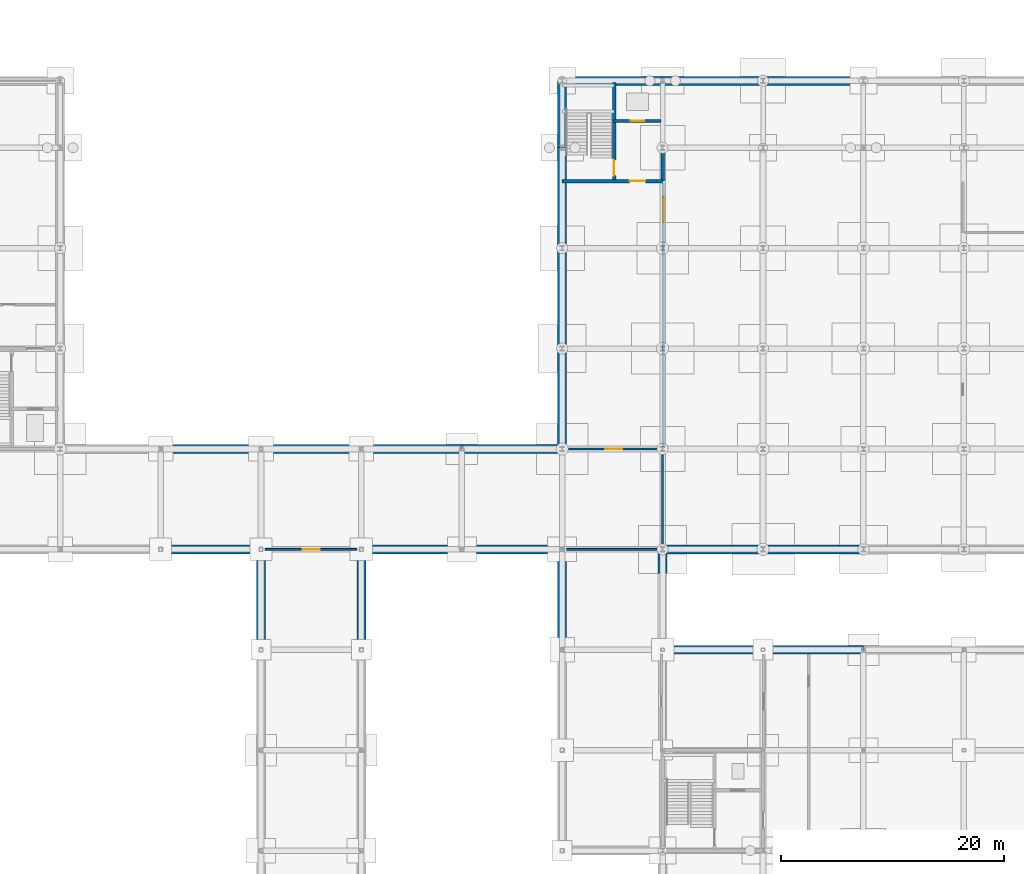
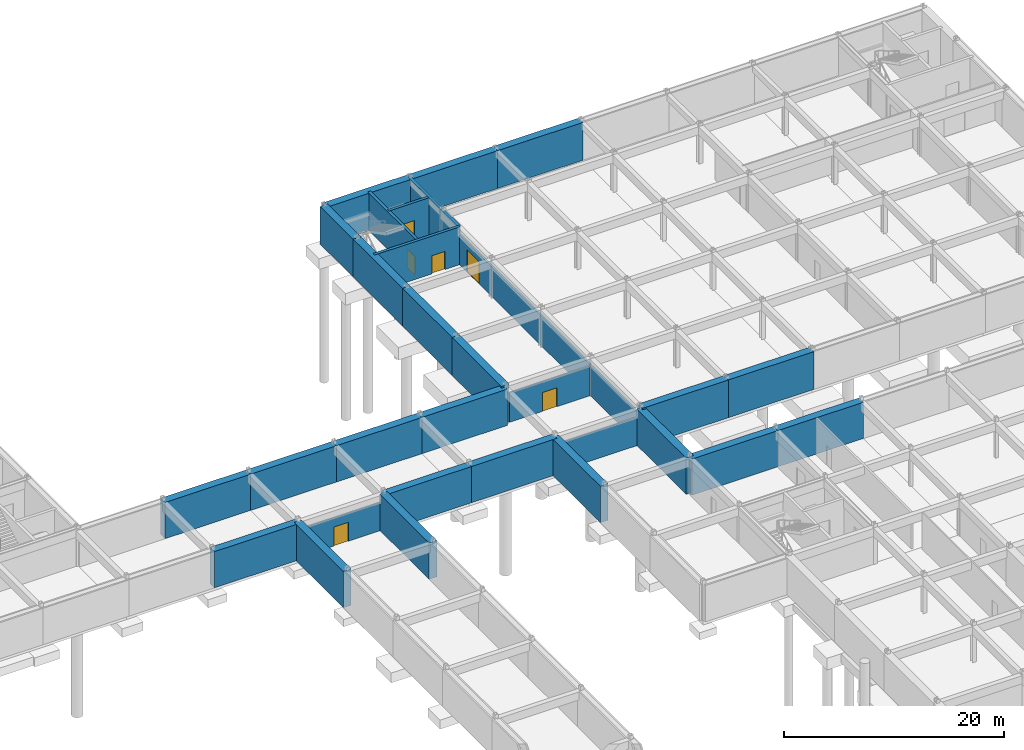
# One storey, part 29 of 41: 31 walls, 6 doors, 6 openings.
"""IFC4 building model written with IfcOpenShell, lengths in metres."""

from ifc_helpers import new_model, si_unit, direction, frame, frame_2d, origin, place, context, subcontext, project, spatial, rectangle, extrude, material, layer, layer_set, type_object, element, fill, save


model = new_model("IFC4")

# Units and contexts
model_context = context("Model", 3, precision=1e-05, world=origin(), true_north=direction((0.0, 1.0)))
body_context = subcontext(model_context, "Body", "Model", "MODEL_VIEW")
ifc_project = project(units=[si_unit("LENGTHUNIT", "METRE"), si_unit("AREAUNIT", "SQUARE_METRE"), si_unit("VOLUMEUNIT", "CUBIC_METRE"), si_unit("PLANEANGLEUNIT", "RADIAN"), si_unit("MASSUNIT", "GRAM", prefix="KILO")], contexts=[model_context])

# Site, building, storey
site_placement = place(None, origin())
site = spatial("IfcSite", under=ifc_project, at=site_placement, CompositionType="ELEMENT")
building_placement = place(site_placement, origin())
building = spatial("IfcBuilding", under=site, at=building_placement, Name="Palais des Congres Ocreval", CompositionType="ELEMENT")
storey_placement = place(building_placement, frame((0.0, 0.0, -8.9599609375)))
storey = spatial("IfcBuildingStorey", under=building, at=storey_placement, Name="B2", CompositionType="ELEMENT", Elevation=-8.9599609375)

# Wall
ifc_material_1 = material(Name="Gypsum acoustic fire board")
ifc_layer_1 = layer(ifc_material_1, 0.199951171875)
ifc_layer_set_1 = layer_set([ifc_layer_1], Name="Compartment Fire Partition 200 Gypsum (Gypsum acoustic fire board)")
wall_type_1 = type_object("IfcWallType", Name="Compartment Fire Partition 200 Gypsum", PredefinedType="PARTITIONING", material=ifc_layer_set_1)
wall_1_placement = place(storey_placement, frame((107.985107421875, 72.405029296875, 0.0), z_axis=(0.0, 0.0, 1.0), x_axis=(0.0, 1.0, 0.0)))
element("IfcWall", 1, at=wall_1_placement, inside=storey, type_object=wall_type_1, Name="Interior Partition IW01 B2", PredefinedType="PARTITIONING", context=body_context, shape_type="SweptSolid", body=[
    extrude(rectangle(XDim=8.675048828125, YDim=0.199951171875, at=frame_2d((4.33740234375, 0.0))), origin(), (0.0, 0.0, 1.0), 3.300048828125),
])

# Wall, opening, door
wall_2_placement = place(storey_placement, frame((108.06494140625, 81.155029296875, 0.0), z_axis=(0.0, 0.0, 1.0), x_axis=(0.0, 1.0, 0.0)))
wall_2 = element("IfcWall", 2, at=wall_2_placement, inside=storey, type_object=wall_type_1, Name="Interior Partition IW01 B2", PredefinedType="PARTITIONING", context=body_context, shape_type="SweptSolid", body=[
    extrude(rectangle(XDim=23.68994140625, YDim=0.199951171875, at=frame_2d((11.844970703125, 0.0))), origin(), (0.0, 0.0, 1.0), 3.300048828125),
])
opening_1_placement = place(wall_2_placement, frame((20.18994140625, 0.0, 0.0)))
opening_1 = element("IfcOpeningElement", 3, at=opening_1_placement, cuts=wall_2, Name="Opening D14", PredefinedType="OPENING", context=body_context, shape_type="SweptSolid", body=[
    extrude(rectangle(XDim=2.199951171875, YDim=2.449951171875, at=frame_2d((1.10009765625, 1.22509765625))), frame((0.0, 0.10986328125, 0.0), z_axis=(0.0, -1.0, 0.0), x_axis=(1.0, 0.0, 0.0)), (0.0, 0.0, 1.0), 0.219970703125),
])
ifc_material_2 = material(Name="Acoustic oak and bronze", Category="wood")
door_type_1 = type_object("IfcDoorType", Name="Grand Ballroom Acoustic Double Door 2200x2450", OperationType="NOTDEFINED", PredefinedType="DOOR", material=ifc_material_2)
door_1_placement = place(opening_1_placement, origin())
door_1 = element("IfcDoor", 4, at=door_1_placement, inside=storey, type_object=door_type_1, Name="Interior Door D14 B2", OperationType="DOUBLE_DOOR_SINGLE_SWING", OverallHeight=2.449951171875, OverallWidth=2.199951171875, PredefinedType="DOOR", context=body_context, shape_type="SweptSolid", body=[
    extrude(rectangle(XDim=2.199951171875, YDim=2.449951171875, at=frame_2d((1.10009765625, 1.22509765625))), frame((0.0, 0.02490234375, 0.0), z_axis=(0.0, -1.0, 0.0), x_axis=(1.0, 0.0, 0.0)), (0.0, 0.0, 1.0), 0.050048828125),
])
fill(opening_1, door_1)

ifc_material_3 = material(Name="Concrete C40/50", Category="concrete")
ifc_layer_2 = layer(ifc_material_3, 0.300048828125)
ifc_layer_set_2 = layer_set([ifc_layer_2], Name="Core Shear Wall 300 Concrete C40/50")
wall_type_2 = type_object("IfcWallType", Name="Core Shear Wall 300 Concrete C40/50", PredefinedType="SHEAR", material=ifc_layer_set_2)
wall_3_placement = place(storey_placement, frame((99.0, 105.0, 0.0), z_axis=(0.0, 0.0, 1.0), x_axis=(1.0, 0.0, 0.0)))
wall_3 = element("IfcWall", 5, at=wall_3_placement, inside=storey, type_object=wall_type_2, Name="Core Shear Wall SC07 B2 S", PredefinedType="SHEAR", context=body_context, shape_type="SweptSolid", body=[
    extrude(rectangle(XDim=9.0, YDim=0.300048828125, at=frame_2d((4.5, 0.0))), origin(), (0.0, 0.0, 1.0), 4.199951171875),
])
opening_2_placement = place(wall_3_placement, frame((6.050048828125, 0.0, 0.0)))
opening_2 = element("IfcOpeningElement", 6, at=opening_2_placement, cuts=wall_3, Name="Opening D03", PredefinedType="OPENING", context=body_context, shape_type="SweptSolid", body=[
    extrude(rectangle(XDim=1.39990234375, YDim=2.02001953125, at=frame_2d((0.699951171875, 1.010009765625))), frame((0.0, 0.159912109375, 0.0), z_axis=(0.0, -1.0, 0.0), x_axis=(1.0, 0.0, 0.0)), (0.0, 0.0, 1.0), 0.320068359375),
])
ifc_material_4 = material(Name="Painted fire-rated steel", Category="steel")
door_type_2 = type_object("IfcDoorType", Name="Core Lobby Rated Door 1400x2020", OperationType="NOTDEFINED", PredefinedType="DOOR", material=ifc_material_4)
door_2_placement = place(opening_2_placement, origin())
door_2 = element("IfcDoor", 7, at=door_2_placement, inside=storey, type_object=door_type_2, Name="Lobby Entrance Door SC07 B2", OperationType="DOUBLE_DOOR_SINGLE_SWING", OverallHeight=2.02001953125, OverallWidth=1.39990234375, PredefinedType="DOOR", context=body_context, shape_type="SweptSolid", body=[
    extrude(rectangle(XDim=1.39990234375, YDim=2.02001953125, at=frame_2d((0.699951171875, 1.010009765625))), frame((0.0, 0.02490234375, 0.0), z_axis=(0.0, -1.0, 0.0), x_axis=(1.0, 0.0, 0.0)), (0.0, 0.0, 1.0), 0.050048828125),
])
fill(opening_2, door_2)

# Wall
wall_4_placement = place(storey_placement, frame((108.0, 105.0, 0.0), z_axis=(0.0, 0.0, 1.0), x_axis=(0.0, 1.0, 0.0)))
element("IfcWall", 8, at=wall_4_placement, inside=storey, type_object=wall_type_2, Name="Core Shear Wall SC07 B2 E", PredefinedType="SHEAR", context=body_context, shape_type="SweptSolid", body=[
    extrude(rectangle(XDim=9.0, YDim=0.300048828125, at=frame_2d((4.5, 0.0))), origin(), (0.0, 0.0, 1.0), 4.199951171875),
])

# Wall, opening, door
wall_5_placement = place(storey_placement, frame((103.64990234375, 105.14990234375, 0.0), z_axis=(0.0, 0.0, 1.0), x_axis=(0.0, 1.0, 0.0)))
wall_5 = element("IfcWall", 9, at=wall_5_placement, inside=storey, type_object=wall_type_2, Name="Core Spine Shear Wall SC07 B2", PredefinedType="SHEAR", context=body_context, shape_type="SweptSolid", body=[
    extrude(rectangle(XDim=8.7001953125, YDim=0.300048828125, at=frame_2d((4.35009765625, 0.0))), origin(), (0.0, 0.0, 1.0), 4.199951171875),
])
opening_3_placement = place(wall_5_placement, frame((0.35009765625, 0.0, 0.0)))
opening_3 = element("IfcOpeningElement", 10, at=opening_3_placement, cuts=wall_5, Name="Opening D03", PredefinedType="OPENING", context=body_context, shape_type="SweptSolid", body=[
    extrude(rectangle(XDim=1.39990234375, YDim=2.02001953125, at=frame_2d((0.699951171875, 1.010009765625))), frame((0.0, 0.159912109375, 0.0), z_axis=(0.0, -1.0, 0.0), x_axis=(1.0, 0.0, 0.0)), (0.0, 0.0, 1.0), 0.320068359375),
])
door_3_placement = place(opening_3_placement, origin())
door_3 = element("IfcDoor", 11, at=door_3_placement, inside=storey, type_object=door_type_2, Name="Protected Exit Stair Door ST07 B2", OperationType="SINGLE_SWING_LEFT", OverallHeight=2.02001953125, OverallWidth=1.39990234375, PredefinedType="DOOR", context=body_context, shape_type="SweptSolid", body=[
    extrude(rectangle(XDim=1.39990234375, YDim=2.02001953125, at=frame_2d((0.699951171875, 1.010009765625))), frame((0.0, 0.02490234375, 0.0), z_axis=(0.0, -1.0, 0.0), x_axis=(1.0, 0.0, 0.0)), (0.0, 0.0, 1.0), 0.050048828125),
])
fill(opening_3, door_3)

wall_6_placement = place(storey_placement, frame((103.64990234375, 110.39990234375, 0.0), z_axis=(0.0, 0.0, 1.0), x_axis=(1.0, 0.0, 0.0)))
wall_6 = element("IfcWall", 12, at=wall_6_placement, inside=storey, type_object=wall_type_2, Name="Lift Shaft Front Wall SC07 B2", PredefinedType="SHEAR", context=body_context, shape_type="SweptSolid", body=[
    extrude(rectangle(XDim=4.2001953125, YDim=0.300048828125, at=frame_2d((2.10009765625, 0.0))), origin(), (0.0, 0.0, 1.0), 4.199951171875),
])
opening_4_placement = place(wall_6_placement, frame((1.5, 0.0, 0.0)))
opening_4 = element("IfcOpeningElement", 13, at=opening_4_placement, cuts=wall_6, Name="Opening LD02", PredefinedType="OPENING", context=body_context, shape_type="SweptSolid", body=[
    extrude(rectangle(XDim=1.199951171875, YDim=2.199951171875, at=frame_2d((0.60009765625, 1.10009765625))), frame((0.0, 0.159912109375, 0.0), z_axis=(0.0, -1.0, 0.0), x_axis=(1.0, 0.0, 0.0)), (0.0, 0.0, 1.0), 0.320068359375),
])
ifc_material_5 = material(Name="Anodized bronze steel", Category="steel")
door_type_3 = type_object("IfcDoorType", Name="Passenger and Service Lift Sliding Door 1200x2200", OperationType="NOTDEFINED", PredefinedType="DOOR", material=ifc_material_5)
door_4_placement = place(opening_4_placement, origin())
door_4 = element("IfcDoor", 14, at=door_4_placement, inside=storey, type_object=door_type_3, Name="Lift Landing Sliding Door CL2 B2", OperationType="DOUBLE_DOOR_SLIDING", OverallHeight=2.199951171875, OverallWidth=1.199951171875, PredefinedType="DOOR", context=body_context, shape_type="SweptSolid", body=[
    extrude(rectangle(XDim=1.199951171875, YDim=2.199951171875, at=frame_2d((0.60009765625, 1.10009765625))), frame((0.0, 0.02490234375, 0.0), z_axis=(0.0, -1.0, 0.0), x_axis=(1.0, 0.0, 0.0)), (0.0, 0.0, 1.0), 0.050048828125),
])
fill(opening_4, door_4)

# Wall
ifc_material_6 = material(Name="Gypsum acoustic partition")
ifc_layer_3 = layer(ifc_material_6, 0.159912109375)
ifc_layer_set_3 = layer_set([ifc_layer_3], Name="Corridor Fire Partition 160 Gypsum (Gypsum acoustic partition)")
wall_type_3 = type_object("IfcWallType", Name="Corridor Fire Partition 160 Gypsum", PredefinedType="PARTITIONING", material=ifc_layer_set_3)
wall_7_placement = place(storey_placement, frame((99.405029296875, 72.0, 0.0), z_axis=(0.0, 0.0, 1.0), x_axis=(1.0, 0.0, 0.0)))
element("IfcWall", 15, at=wall_7_placement, inside=storey, type_object=wall_type_3, Name="Interior Partition IW03 B2", PredefinedType="PARTITIONING", context=body_context, shape_type="SweptSolid", body=[
    extrude(rectangle(XDim=8.18994140625, YDim=0.159912109375, at=frame_2d((4.094970703125, 0.0))), origin(), (0.0, 0.0, 1.0), 3.1298828125),
])

# Wall, opening, door
wall_8_placement = place(storey_placement, frame((72.405029296875, 72.0, 0.0), z_axis=(0.0, 0.0, 1.0), x_axis=(1.0, 0.0, 0.0)))
wall_8 = element("IfcWall", 16, at=wall_8_placement, inside=storey, type_object=wall_type_3, Name="Interior Partition IW03 B2", PredefinedType="PARTITIONING", context=body_context, shape_type="SweptSolid", body=[
    extrude(rectangle(XDim=8.18994140625, YDim=0.159912109375, at=frame_2d((4.094970703125, 0.0))), origin(), (0.0, 0.0, 1.0), 3.1298828125),
])
opening_5_placement = place(wall_8_placement, frame((3.344970703125, 0.0, 0.0)))
opening_5 = element("IfcOpeningElement", 17, at=opening_5_placement, cuts=wall_8, Name="Opening D04", PredefinedType="OPENING", context=body_context, shape_type="SweptSolid", body=[
    extrude(rectangle(XDim=1.5, YDim=2.10009765625, at=frame_2d((0.75, 1.050048828125))), frame((0.0, 0.08984375, 0.0), z_axis=(0.0, -1.0, 0.0), x_axis=(1.0, 0.0, 0.0)), (0.0, 0.0, 1.0), 0.179931640625),
])
ifc_material_7 = material(Name="Solid French oak fire door", Category="wood")
door_type_4 = type_object("IfcDoorType", Name="Corridor Compartment Double Door 1500x2100", OperationType="NOTDEFINED", PredefinedType="DOOR", material=ifc_material_7)
door_5_placement = place(opening_5_placement, origin())
door_5 = element("IfcDoor", 18, at=door_5_placement, inside=storey, type_object=door_type_4, Name="Interior Door D04 B2", OperationType="DOUBLE_DOOR_SINGLE_SWING", OverallHeight=2.10009765625, OverallWidth=1.5, PredefinedType="DOOR", context=body_context, shape_type="SweptSolid", body=[
    extrude(rectangle(XDim=1.5, YDim=2.10009765625, at=frame_2d((0.75, 1.050048828125))), frame((0.0, 0.02490234375, 0.0), z_axis=(0.0, -1.0, 0.0), x_axis=(1.0, 0.0, 0.0)), (0.0, 0.0, 1.0), 0.050048828125),
])
fill(opening_5, door_5)

wall_9_placement = place(storey_placement, frame((99.405029296875, 81.0, 0.0), z_axis=(0.0, 0.0, 1.0), x_axis=(1.0, 0.0, 0.0)))
wall_9 = element("IfcWall", 19, at=wall_9_placement, inside=storey, type_object=wall_type_3, Name="Interior Partition IW03 B2", PredefinedType="PARTITIONING", context=body_context, shape_type="SweptSolid", body=[
    extrude(rectangle(XDim=8.425048828125, YDim=0.159912109375, at=frame_2d((4.21240234375, 0.0))), origin(), (0.0, 0.0, 1.0), 3.300048828125),
])
opening_6_placement = place(wall_9_placement, frame((3.46240234375, 0.0, 0.0)))
opening_6 = element("IfcOpeningElement", 20, at=opening_6_placement, cuts=wall_9, Name="Opening D04", PredefinedType="OPENING", context=body_context, shape_type="SweptSolid", body=[
    extrude(rectangle(XDim=1.5, YDim=2.10009765625, at=frame_2d((0.75, 1.050048828125))), frame((0.0, 0.08984375, 0.0), z_axis=(0.0, -1.0, 0.0), x_axis=(1.0, 0.0, 0.0)), (0.0, 0.0, 1.0), 0.179931640625),
])
door_6_placement = place(opening_6_placement, origin())
door_6 = element("IfcDoor", 21, at=door_6_placement, inside=storey, type_object=door_type_4, Name="Interior Door D04 B2", OperationType="DOUBLE_DOOR_SINGLE_SWING", OverallHeight=2.10009765625, OverallWidth=1.5, PredefinedType="DOOR", context=body_context, shape_type="SweptSolid", body=[
    extrude(rectangle(XDim=1.5, YDim=2.10009765625, at=frame_2d((0.75, 1.050048828125))), frame((0.0, 0.02490234375, 0.0), z_axis=(0.0, -1.0, 0.0), x_axis=(1.0, 0.0, 0.0)), (0.0, 0.0, 1.0), 0.050048828125),
])
fill(opening_6, door_6)

# Walls
ifc_material_8 = material(Name="Concrete C35/45", Category="concrete")
ifc_layer_4 = layer(ifc_material_8, 0.800048828125)
ifc_layer_set_4 = layer_set([ifc_layer_4], Name="Retaining Diaphragm Wall 800 Concrete C35/45")
wall_type_4 = type_object("IfcWallType", Name="Retaining Diaphragm Wall 800 Concrete C35/45", PredefinedType="USERDEFINED", material=ifc_layer_set_4)
for number, where, z_axis, x_axis, name in (
    (22, (63.0, 81.0, 0.0), (0.0, 0.0, 1.0), (1.0, 0.0, 0.0), "Basement Diaphragm Wall RW01 B2"),
    (23, (72.0, 81.0, 0.0), (0.0, 0.0, 1.0), (1.0, 0.0, 0.0), "Basement Diaphragm Wall RW01 B2"),
    (24, (81.0, 81.0, 0.0), (0.0, 0.0, 1.0), (1.0, 0.0, 0.0), "Basement Diaphragm Wall RW01 B2"),
    (25, (90.0, 81.0, 0.0), (0.0, 0.0, 1.0), (1.0, 0.0, 0.0), "Basement Diaphragm Wall RW01 B2"),
):
    element("IfcWall", number, at=place(storey_placement, frame(where, z_axis=z_axis, x_axis=x_axis)), inside=storey, type_object=wall_type_4, Name=name, ObjectType="RETAININGWALL", PredefinedType="USERDEFINED", context=body_context, shape_type="SweptSolid", body=[
        extrude(rectangle(XDim=9.0, YDim=0.800048828125, at=frame_2d((4.5, 0.0))), origin(), (0.0, 0.0, 1.0), 4.030029296875),
    ])
for number, where, z_axis, x_axis, name in (
    (26, (99.0, 81.0, 0.0), (0.0, 0.0, 1.0), (0.0, 1.0, 0.0), "Basement Diaphragm Wall RW01 B2"),
    (27, (99.0, 90.0, 0.0), (0.0, 0.0, 1.0), (0.0, 1.0, 0.0), "Basement Diaphragm Wall RW01 B2"),
    (28, (99.0, 99.0, 0.0), (0.0, 0.0, 1.0), (0.0, 1.0, 0.0), "Basement Diaphragm Wall RW01 B2"),
):
    element("IfcWall", number, at=place(storey_placement, frame(where, z_axis=z_axis, x_axis=x_axis)), inside=storey, type_object=wall_type_4, Name=name, ObjectType="RETAININGWALL", PredefinedType="USERDEFINED", context=body_context, shape_type="SweptSolid", body=[
        extrude(rectangle(XDim=9.0, YDim=0.800048828125, at=frame_2d((4.5, 0.0))), origin(), (0.0, 0.0, 1.0), 4.199951171875),
    ])
wall_10_placement = place(storey_placement, frame((99.0, 108.0, 0.0), z_axis=(0.0, 0.0, 1.0), x_axis=(0.0, 1.0, 0.0)))
element("IfcWall", 29, at=wall_10_placement, inside=storey, type_object=wall_type_4, Name="Basement Diaphragm Wall RW01 B2", ObjectType="RETAININGWALL", PredefinedType="USERDEFINED", context=body_context, shape_type="SweptSolid", body=[
    extrude(rectangle(XDim=6.0, YDim=0.800048828125, at=frame_2d((3.0, 0.0))), origin(), (0.0, 0.0, 1.0), 4.199951171875),
])
for number, where, z_axis, x_axis, name in (
    (30, (99.0, 114.0, 0.0), (0.0, 0.0, 1.0), (1.0, 0.0, 0.0), "Basement Diaphragm Wall RW01 B2"),
    (31, (108.0, 114.0, 0.0), (0.0, 0.0, 1.0), (1.0, 0.0, 0.0), "Basement Diaphragm Wall RW01 B2"),
    (32, (117.0, 114.0, 0.0), (0.0, 0.0, 1.0), (1.0, 0.0, 0.0), "Basement Diaphragm Wall RW01 B2"),
    (33, (126.0, 72.0, 0.0), (0.0, 0.0, 1.0), (-1.0, 0.0, 0.0), "Basement Diaphragm Wall RW01 B2"),
    (34, (117.0, 72.0, 0.0), (0.0, 0.0, 1.0), (-1.0, 0.0, 0.0), "Basement Diaphragm Wall RW01 B2"),
):
    element("IfcWall", number, at=place(storey_placement, frame(where, z_axis=z_axis, x_axis=x_axis)), inside=storey, type_object=wall_type_4, Name=name, ObjectType="RETAININGWALL", PredefinedType="USERDEFINED", context=body_context, shape_type="SweptSolid", body=[
        extrude(rectangle(XDim=9.0, YDim=0.800048828125, at=frame_2d((4.5, 0.0))), origin(), (0.0, 0.0, 1.0), 4.199951171875),
    ])
for number, where, z_axis, x_axis, name in (
    (35, (108.0, 72.0, 0.0), (0.0, 0.0, 1.0), (0.0, -1.0, 0.0), "Basement Diaphragm Wall RW01 B2"),
    (36, (108.0, 63.0, 0.0), (0.0, 0.0, 1.0), (1.0, 0.0, 0.0), "Basement Diaphragm Wall RW01 B2"),
    (37, (117.0, 63.0, 0.0), (0.0, 0.0, 1.0), (1.0, 0.0, 0.0), "Basement Diaphragm Wall RW01 B2"),
    (38, (99.0, 63.0, 0.0), (0.0, 0.0, 1.0), (0.0, 1.0, 0.0), "Basement Diaphragm Wall RW01 B2"),
    (39, (99.0, 72.0, 0.0), (0.0, 0.0, 1.0), (-1.0, 0.0, 0.0), "Basement Diaphragm Wall RW01 B2"),
    (40, (90.0, 72.0, 0.0), (0.0, 0.0, 1.0), (-1.0, 0.0, 0.0), "Basement Diaphragm Wall RW01 B2"),
    (41, (81.0, 72.0, 0.0), (0.0, 0.0, 1.0), (0.0, -1.0, 0.0), "Basement Diaphragm Wall RW01 B2"),
    (42, (72.0, 63.0, 0.0), (0.0, 0.0, 1.0), (0.0, 1.0, 0.0), "Basement Diaphragm Wall RW01 B2"),
    (43, (72.0, 72.0, 0.0), (0.0, 0.0, 1.0), (-1.0, 0.0, 0.0), "Basement Diaphragm Wall RW01 B2"),
):
    element("IfcWall", number, at=place(storey_placement, frame(where, z_axis=z_axis, x_axis=x_axis)), inside=storey, type_object=wall_type_4, Name=name, ObjectType="RETAININGWALL", PredefinedType="USERDEFINED", context=body_context, shape_type="SweptSolid", body=[
        extrude(rectangle(XDim=9.0, YDim=0.800048828125, at=frame_2d((4.5, 0.0))), origin(), (0.0, 0.0, 1.0), 4.030029296875),
    ])

save(model, "model.ifc")
